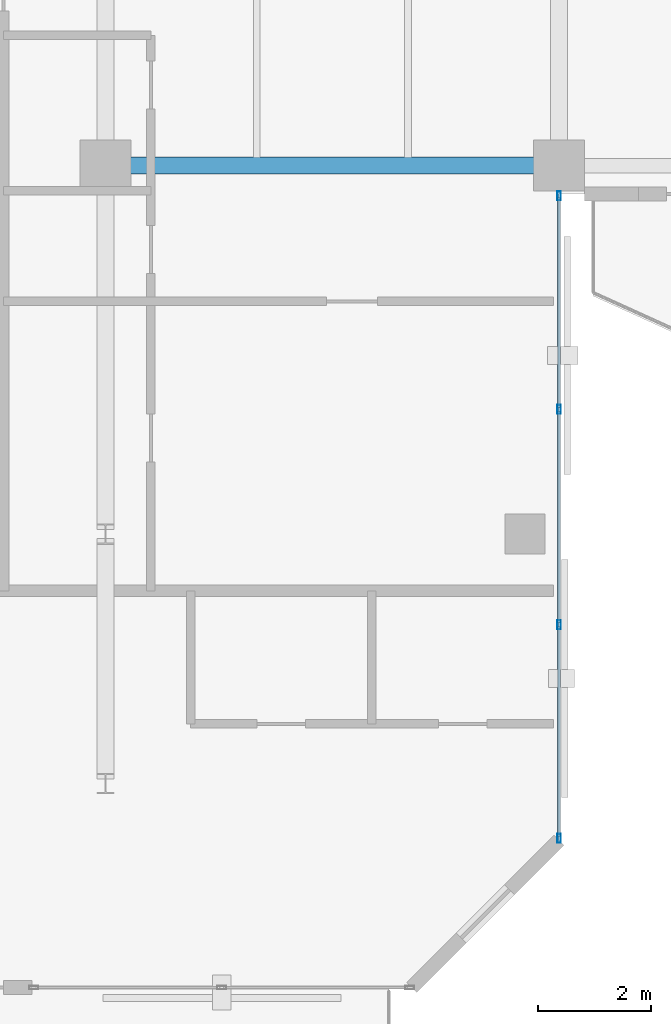
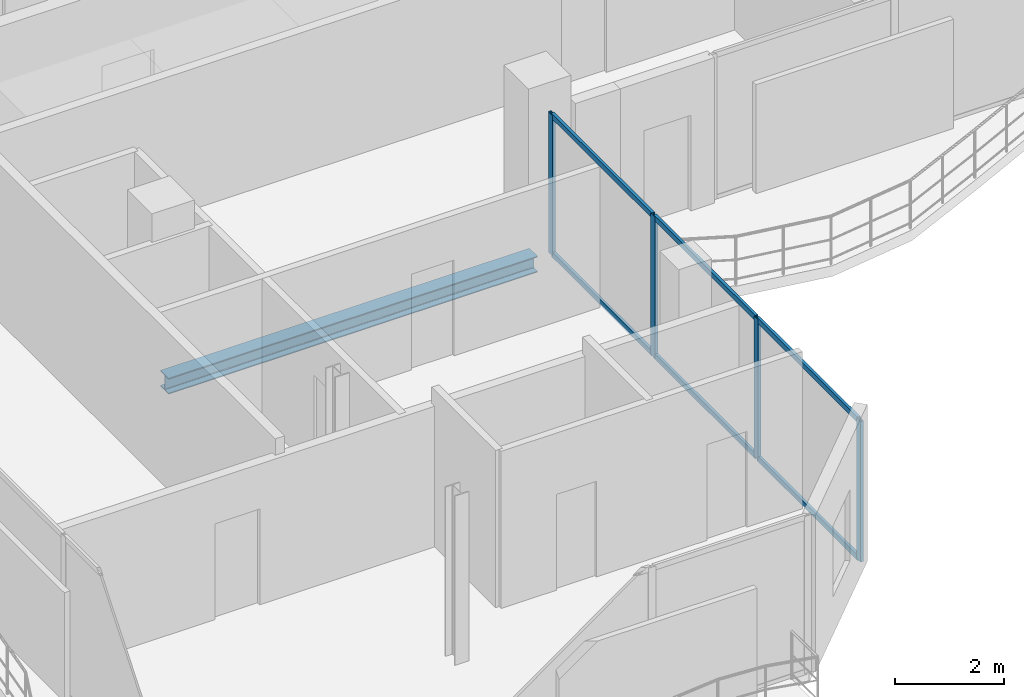
# One storey, part 4 of 16: 10 members, 1 beam, 1 element without a shape of its own.
"""IFC4 building model written with IfcOpenShell, lengths in metres."""

import ifcopenshell
import ifcopenshell.guid

model = None  # the IFC model being written
_history = None  # IfcOwnerHistory: only IFC2X3 demands one
_inside = {}  # id of a spatial element -> (the spatial element, [elements in it])
_under = {}  # id of a project, library or spatial element -> (it, [spatial elements below it])
_declared = {}  # id of a project -> (the project, [libraries it declares])
_typed = {}  # id of a type object -> (the type object, [elements of that type])
_made_of = {}  # id of a material, layer set ... -> (it, [elements and type objects made of it])


def new_model(schema):
    """Start an empty IFC model of exactly this schema.

    Asked for "IFC4X3", IfcOpenShell would pick the latest addendum, in which some entities
    have other attributes; the version numbers below select the first issue.
    IFC2X3 requires an IfcOwnerHistory on every rooted entity: one is made here for all.
    """
    global model, _history
    if schema == "IFC4X3":
        model = ifcopenshell.file(schema_version=(4, 3, 0, 0))
    else:
        model = ifcopenshell.file(schema=schema)
    _inside.clear()
    _under.clear()
    _declared.clear()
    _typed.clear()
    _made_of.clear()
    _history = None
    if model.schema == "IFC2X3":
        org = make("IfcOrganization", Name="unknown")
        user = make(
            "IfcPersonAndOrganization",
            ThePerson=make("IfcPerson", FamilyName="unknown"),
            TheOrganization=org,
        )
        app = make(
            "IfcApplication",
            ApplicationDeveloper=org,
            Version="unknown",
            ApplicationFullName="unknown",
            ApplicationIdentifier="unknown",
        )
        _history = make(
            "IfcOwnerHistory",
            OwningUser=user,
            OwningApplication=app,
            ChangeAction="ADDED",
            CreationDate=0,
        )
    return model


def make(cls, **values):
    """One entity of the class cls with the attributes given. An attribute that is None is left unset."""
    return model.create_entity(
        cls, **{name: value for name, value in values.items() if value is not None}
    )


def rooted(cls, **values):
    """An entity with a GlobalId (a new one), such as an element, a storey or a relation."""
    return make(cls, GlobalId=ifcopenshell.guid.new(), OwnerHistory=_history, **values)


def si_unit(unit_type, name, prefix=None):
    """IfcSIUnit, for example si_unit("LENGTHUNIT", "METRE", prefix="MILLI")."""
    return make("IfcSIUnit", UnitType=unit_type, Prefix=prefix, Name=name)


def assignment(units):
    """IfcUnitAssignment: the units of a project."""
    return None if units is None else make("IfcUnitAssignment", Units=units)


def point(xyz):
    """IfcCartesianPoint."""
    return None if xyz is None else make("IfcCartesianPoint", Coordinates=xyz)


def direction(xyz):
    """IfcDirection."""
    return None if xyz is None else make("IfcDirection", DirectionRatios=xyz)


def frame(location, z_axis=None, x_axis=None):
    """IfcAxis2Placement3D, a coordinate frame: its origin and axes. An axis left out is left unset."""
    return make(
        "IfcAxis2Placement3D",
        Location=point(location),
        Axis=direction(z_axis),
        RefDirection=direction(x_axis),
    )


def frame_2d(location, x_axis=None):
    """IfcAxis2Placement2D, a coordinate frame in the plane: its origin and x axis."""
    return make(
        "IfcAxis2Placement2D", Location=point(location), RefDirection=direction(x_axis)
    )


def origin():
    """The frame at (0, 0, 0) with its axes left unset."""
    return frame((0.0, 0.0, 0.0))


def origin_2d():
    """The frame at (0, 0) in the plane with its x axis left unset."""
    return frame_2d((0.0, 0.0))


def place(relative_to, where):
    """IfcLocalPlacement: puts the frame where relative to a parent placement (None: the world)."""
    return make(
        "IfcLocalPlacement", PlacementRelTo=relative_to, RelativePlacement=where
    )


def context(
    kind, dimensions, precision=None, world=None, true_north=None, identifier=None
):
    """IfcGeometricRepresentationContext, for example the 3D "Model" context."""
    return make(
        "IfcGeometricRepresentationContext",
        ContextIdentifier=identifier,
        ContextType=kind,
        CoordinateSpaceDimension=dimensions,
        Precision=precision,
        WorldCoordinateSystem=world,
        TrueNorth=true_north,
    )


def subcontext(parent, identifier, kind, view, scale=None):
    """IfcGeometricRepresentationSubContext, for example "Body" below "Model"."""
    return make(
        "IfcGeometricRepresentationSubContext",
        ContextIdentifier=identifier,
        ContextType=kind,
        ParentContext=parent,
        TargetScale=scale,
        TargetView=view,
    )


def project(units=None, contexts=None):
    """IfcProject with its units and contexts."""
    return rooted(
        "IfcProject",
        Name="project",
        RepresentationContexts=contexts,
        UnitsInContext=assignment(units),
    )


def spatial(cls, under=None, at=None, **own):
    """A site, building, storey or space (cls), placed at a placement, below another one or the project."""
    s = rooted(cls, ObjectPlacement=at, **own)
    if under is not None:
        _under.setdefault(under.id(), (under, []))[1].append(s)
    return s


def profile(cls, at=None, kind="AREA", **sizes):
    """A parametric profile (cls). Its sizes go by their IFC names, for example OverallWidth=200.0."""
    return make(cls, ProfileType=kind, Position=at, **sizes)


def hollow_rectangle(**sizes):
    """IfcRectangleHollowProfileDef."""
    return profile("IfcRectangleHollowProfileDef", **sizes)


def i_section(**sizes):
    """IfcIShapeProfileDef."""
    return profile("IfcIShapeProfileDef", **sizes)


def extrude(swept, where, along, depth):
    """IfcExtrudedAreaSolid: the profile swept, set in the frame where, extruded along a direction by depth."""
    return make(
        "IfcExtrudedAreaSolid",
        SweptArea=swept,
        Position=where,
        ExtrudedDirection=direction(along),
        Depth=depth,
    )


def shape(context_of_items, identifier, shape_type, items):
    """IfcShapeRepresentation: the items that make up one representation, for example the "Body"."""
    return make(
        "IfcShapeRepresentation",
        ContextOfItems=context_of_items,
        RepresentationIdentifier=identifier,
        RepresentationType=shape_type,
        Items=items,
    )


def material(Name=None, Category=None):
    """IfcMaterial."""
    return make("IfcMaterial", Name=Name, Category=Category)


def layer(
    of_material, thickness, ventilated=None, Name=None, Category=None, Priority=None
):
    """IfcMaterialLayer: one layer of a wall or slab, of a material (None: an air gap)."""
    return make(
        "IfcMaterialLayer",
        Material=of_material,
        LayerThickness=thickness,
        IsVentilated=ventilated,
        Name=Name,
        Category=Category,
        Priority=Priority,
    )


def layer_set(layers, Name=None):
    """IfcMaterialLayerSet."""
    return make("IfcMaterialLayerSet", MaterialLayers=layers, LayerSetName=Name)


def material_profile(
    of_material, cross_section, Name=None, Category=None, Priority=None
):
    """IfcMaterialProfile: a cross section and its material."""
    return make(
        "IfcMaterialProfile",
        Name=Name,
        Material=of_material,
        Profile=cross_section,
        Priority=Priority,
        Category=Category,
    )


def profile_set(profiles, Name=None, composite=None):
    """IfcMaterialProfileSet."""
    return make(
        "IfcMaterialProfileSet",
        Name=Name,
        MaterialProfiles=profiles,
        CompositeProfile=composite,
    )


def made_of(thing, what):
    """Note that an element or type object is made of a material, layer set ...; save() writes the relation."""
    if what is not None:
        _made_of.setdefault(what.id(), (what, []))[1].append(thing)
    return thing


def type_object(cls, material=None, **own):
    """A type object (cls), such as IfcWallType, which elements share."""
    return made_of(rooted(cls, **own), material)


def element(
    cls,
    number,
    at=None,
    inside=None,
    cuts=None,
    type_object=None,
    material=None,
    context=None,
    identifier="Body",
    shape_type=None,
    held_by="IfcProductDefinitionShape",
    body=None,
    shapes=None,
    **own,
):
    """One element of the class cls, such as IfcWall. Its Tag is "e" and its number.

    at: its placement. inside: the storey or other place that contains it. cuts: it is an
    opening in that element (IfcRelVoidsElement). A single representation is given by context,
    identifier, shape_type and body (its items); several are given by shapes. held_by: the class
    of the entity that holds the representations. save() writes the other relations.
    """
    e = rooted(cls, Tag="e%d" % number, ObjectPlacement=at, **own)
    if body is not None:
        shapes = [shape(context, identifier, shape_type, body)]
    if shapes is not None:
        e.Representation = make(held_by, Representations=shapes)
    if inside is not None:
        _inside.setdefault(inside.id(), (inside, []))[1].append(e)
    if cuts is not None:
        rooted(
            "IfcRelVoidsElement", RelatingBuildingElement=cuts, RelatedOpeningElement=e
        )
    if type_object is not None:
        _typed.setdefault(type_object.id(), (type_object, []))[1].append(e)
    return made_of(e, material)


def aggregate(whole, parts):
    """IfcRelAggregates: a whole, such as a stair, and the parts it consists of."""
    return rooted("IfcRelAggregates", RelatingObject=whole, RelatedObjects=parts)


def save(model, path):
    """Write the relations noted so far, then the file.

    IfcRelAggregates (storeys below a building ...), IfcRelContainedInSpatialStructure (elements
    in a storey), IfcRelDefinesByType, IfcRelAssociatesMaterial and IfcRelDeclares: one each for
    every whole, place, type object, material and project.
    """
    for whole, parts in _under.values():
        aggregate(whole, parts)
    for where, things in _inside.values():
        rooted(
            "IfcRelContainedInSpatialStructure",
            RelatedElements=things,
            RelatingStructure=where,
        )
    for kind, things in _typed.values():
        rooted("IfcRelDefinesByType", RelatedObjects=things, RelatingType=kind)
    for what, things in _made_of.values():
        rooted("IfcRelAssociatesMaterial", RelatedObjects=things, RelatingMaterial=what)
    for by, libraries in _declared.values():
        rooted("IfcRelDeclares", RelatingContext=by, RelatedDefinitions=libraries)
    model.write(path)


model = new_model("IFC4")

# Units and contexts
model_context = context("Model", 3, precision=1e-05, world=origin(), true_north=direction((0.0, 1.0)))
body_context = subcontext(model_context, "Body", "Model", "MODEL_VIEW")
ifc_project = project(units=[si_unit("LENGTHUNIT", "METRE"), si_unit("AREAUNIT", "SQUARE_METRE"), si_unit("VOLUMEUNIT", "CUBIC_METRE"), si_unit("PLANEANGLEUNIT", "RADIAN"), si_unit("MASSUNIT", "GRAM", prefix="KILO")], contexts=[model_context])

# Site, building, storey
site_placement = place(None, origin())
site = spatial("IfcSite", under=ifc_project, at=site_placement, CompositionType="ELEMENT")
building_placement = place(site_placement, origin())
building = spatial("IfcBuilding", under=site, at=building_placement, Name="Catumbela Crestline Tower", CompositionType="ELEMENT")
storey_placement = place(building_placement, frame((0.0, 0.0, 275.4)))
storey = spatial("IfcBuildingStorey", under=building, at=storey_placement, Name="L71", CompositionType="ELEMENT", Elevation=275.4)

# Beam
ifc_material_1 = material(Name="Structural steel S355J2", Category="steel")
ifc_material_profile_1 = material_profile(ifc_material_1, i_section(OverallWidth=0.3, OverallDepth=0.36, WebThickness=0.0125, FlangeThickness=0.0225, FilletRadius=0.027, at=origin_2d()), Name="HEB 360")
ifc_profile_set_1 = profile_set([ifc_material_profile_1], Name="Structural steel S355J2")
beam_type = type_object("IfcBeamType", Name="BG-HEB360", PredefinedType="BEAM", material=ifc_profile_set_1)
beam_placement = place(storey_placement, frame((16.08, 24.5, -0.44), z_axis=(1.0, 0.0, 0.0), x_axis=(0.0, 1.0, 0.0)))
element("IfcBeam", 1, at=beam_placement, inside=storey, type_object=beam_type, Name="L71 Beam BM-L71-S01", PredefinedType="BEAM", context=body_context, shape_type="SweptSolid", body=[
    extrude(i_section(OverallWidth=0.3, OverallDepth=0.36, WebThickness=0.0125, FlangeThickness=0.0225, FilletRadius=0.027, at=origin_2d()), origin(), (0.0, 0.0, 1.0), 7.84),
])

# Curtain wall, members
ifc_material_2 = material(Name="Aluminium alloy AW-6060-T66", Category="aluminium")
ifc_layer = layer(ifc_material_2, 0.18, Name="Aluminium alloy AW-6060-T66")
ifc_layer_set = layer_set([ifc_layer], Name="Aluminium alloy AW-6060-T66")
curtain_wall_type = type_object("IfcCurtainWallType", Name="CWU-Z4", PredefinedType="USERDEFINED", material=ifc_layer_set)
curtain_wall_placement = place(storey_placement, origin())
curtain_wall = element("IfcCurtainWall", 2, at=curtain_wall_placement, inside=storey, type_object=curtain_wall_type, Name="L71 Unitised Curtain Wall CW-L71-E2S1", ObjectType="UNITISED", PredefinedType="USERDEFINED")
ifc_material_profile_2 = material_profile(ifc_material_2, hollow_rectangle(XDim=0.06, YDim=0.16, WallThickness=0.004, at=origin_2d()), Name="ALU 160x60x4")
ifc_profile_set_2 = profile_set([ifc_material_profile_2], Name="Aluminium alloy AW-6060-T66")
member_type_1 = type_object("IfcMemberType", Name="MUL-160X60", PredefinedType="MULLION", material=ifc_profile_set_2)
member_1_placement = place(storey_placement, frame((24.0, 12.6325, 0.0), z_axis=(0.0, 0.0, 1.0), x_axis=(-1.0, 0.0, 0.0)))
member_1 = element("IfcMember", 3, at=member_1_placement, type_object=member_type_1, Name="CWU-Z4 mullion 1", PredefinedType="MULLION", context=body_context, shape_type="SweptSolid", body=[
    extrude(hollow_rectangle(XDim=0.06, YDim=0.16, WallThickness=0.004, at=origin_2d()), origin(), (0.0, 0.0, 1.0), 3.16),
])
member_2_placement = place(storey_placement, frame((24.0, 16.4, 0.0), z_axis=(0.0, 0.0, 1.0), x_axis=(-1.0, 0.0, 0.0)))
member_2 = element("IfcMember", 4, at=member_2_placement, type_object=member_type_1, Name="CWU-Z4 mullion 2", PredefinedType="MULLION", context=body_context, shape_type="SweptSolid", body=[
    extrude(hollow_rectangle(XDim=0.06, YDim=0.16, WallThickness=0.004, at=origin_2d()), origin(), (0.0, 0.0, 1.0), 3.16),
])
member_3_placement = place(storey_placement, frame((24.0, 20.2, 0.0), z_axis=(0.0, 0.0, 1.0), x_axis=(-1.0, 0.0, 0.0)))
member_3 = element("IfcMember", 5, at=member_3_placement, type_object=member_type_1, Name="CWU-Z4 mullion 3", PredefinedType="MULLION", context=body_context, shape_type="SweptSolid", body=[
    extrude(hollow_rectangle(XDim=0.06, YDim=0.16, WallThickness=0.004, at=origin_2d()), origin(), (0.0, 0.0, 1.0), 3.16),
])
member_4_placement = place(storey_placement, frame((24.0, 23.9675, 0.0), z_axis=(0.0, 0.0, 1.0), x_axis=(-1.0, 0.0, 0.0)))
member_4 = element("IfcMember", 6, at=member_4_placement, type_object=member_type_1, Name="CWU-Z4 mullion 4", PredefinedType="MULLION", context=body_context, shape_type="SweptSolid", body=[
    extrude(hollow_rectangle(XDim=0.06, YDim=0.16, WallThickness=0.004, at=origin_2d()), origin(), (0.0, 0.0, 1.0), 3.16),
])
ifc_material_profile_3 = material_profile(ifc_material_2, hollow_rectangle(XDim=0.06, YDim=0.12, WallThickness=0.0035, at=origin_2d()), Name="ALU 120x60x3.5")
ifc_profile_set_3 = profile_set([ifc_material_profile_3], Name="Aluminium alloy AW-6060-T66")
member_type_2 = type_object("IfcMemberType", Name="TRN-120X60", PredefinedType="USERDEFINED", material=ifc_profile_set_3)
member_5_placement = place(storey_placement, frame((24.0, 12.665, 0.03), z_axis=(0.0, 1.0, 0.0), x_axis=(-1.0, 0.0, 0.0)))
member_5 = element("IfcMember", 7, at=member_5_placement, type_object=member_type_2, Name="CWU-Z4 transom 1.1", ObjectType="TRANSOM", PredefinedType="USERDEFINED", context=body_context, shape_type="SweptSolid", body=[
    extrude(hollow_rectangle(XDim=0.06, YDim=0.12, WallThickness=0.0035, at=origin_2d()), origin(), (0.0, 0.0, 1.0), 3.7025),
])
member_6_placement = place(storey_placement, frame((24.0, 12.665, 3.13), z_axis=(0.0, 1.0, 0.0), x_axis=(-1.0, 0.0, 0.0)))
member_6 = element("IfcMember", 8, at=member_6_placement, type_object=member_type_2, Name="CWU-Z4 transom 1.2", ObjectType="TRANSOM", PredefinedType="USERDEFINED", context=body_context, shape_type="SweptSolid", body=[
    extrude(hollow_rectangle(XDim=0.06, YDim=0.12, WallThickness=0.0035, at=origin_2d()), origin(), (0.0, 0.0, 1.0), 3.7025),
])
member_7_placement = place(storey_placement, frame((24.0, 16.4325, 0.03), z_axis=(0.0, 1.0, 0.0), x_axis=(-1.0, 0.0, 0.0)))
member_7 = element("IfcMember", 9, at=member_7_placement, type_object=member_type_2, Name="CWU-Z4 transom 2.1", ObjectType="TRANSOM", PredefinedType="USERDEFINED", context=body_context, shape_type="SweptSolid", body=[
    extrude(hollow_rectangle(XDim=0.06, YDim=0.12, WallThickness=0.0035, at=origin_2d()), origin(), (0.0, 0.0, 1.0), 3.735),
])
member_8_placement = place(storey_placement, frame((24.0, 16.4325, 3.13), z_axis=(0.0, 1.0, 0.0), x_axis=(-1.0, 0.0, 0.0)))
member_8 = element("IfcMember", 10, at=member_8_placement, type_object=member_type_2, Name="CWU-Z4 transom 2.2", ObjectType="TRANSOM", PredefinedType="USERDEFINED", context=body_context, shape_type="SweptSolid", body=[
    extrude(hollow_rectangle(XDim=0.06, YDim=0.12, WallThickness=0.0035, at=origin_2d()), origin(), (0.0, 0.0, 1.0), 3.735),
])
member_9_placement = place(storey_placement, frame((24.0, 20.2325, 0.03), z_axis=(0.0, 1.0, 0.0), x_axis=(-1.0, 0.0, 0.0)))
member_9 = element("IfcMember", 11, at=member_9_placement, type_object=member_type_2, Name="CWU-Z4 transom 3.1", ObjectType="TRANSOM", PredefinedType="USERDEFINED", context=body_context, shape_type="SweptSolid", body=[
    extrude(hollow_rectangle(XDim=0.06, YDim=0.12, WallThickness=0.0035, at=origin_2d()), origin(), (0.0, 0.0, 1.0), 3.7025),
])
member_10_placement = place(storey_placement, frame((24.0, 20.2325, 3.13), z_axis=(0.0, 1.0, 0.0), x_axis=(-1.0, 0.0, 0.0)))
member_10 = element("IfcMember", 12, at=member_10_placement, type_object=member_type_2, Name="CWU-Z4 transom 3.2", ObjectType="TRANSOM", PredefinedType="USERDEFINED", context=body_context, shape_type="SweptSolid", body=[
    extrude(hollow_rectangle(XDim=0.06, YDim=0.12, WallThickness=0.0035, at=origin_2d()), origin(), (0.0, 0.0, 1.0), 3.7025),
])
aggregate(curtain_wall, [member_1, member_2, member_3, member_4, member_5, member_6, member_7, member_8, member_9, member_10])

save(model, "model.ifc")
